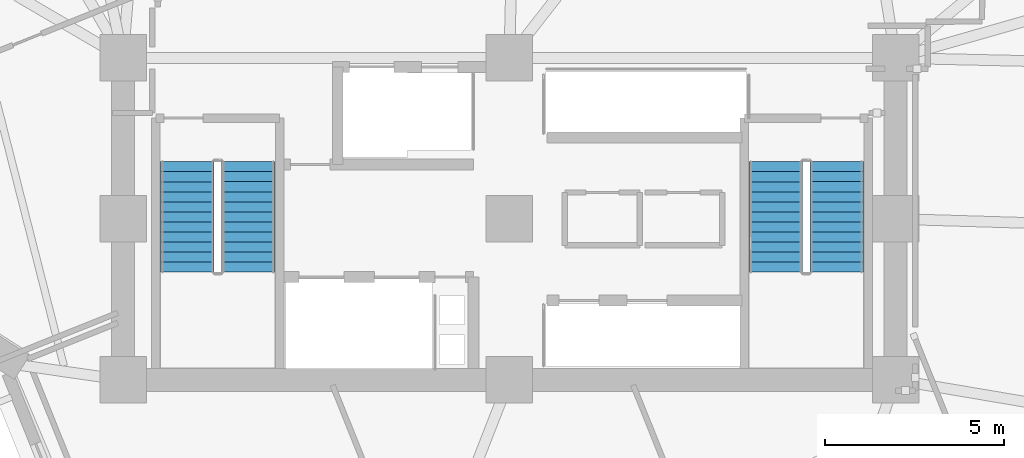
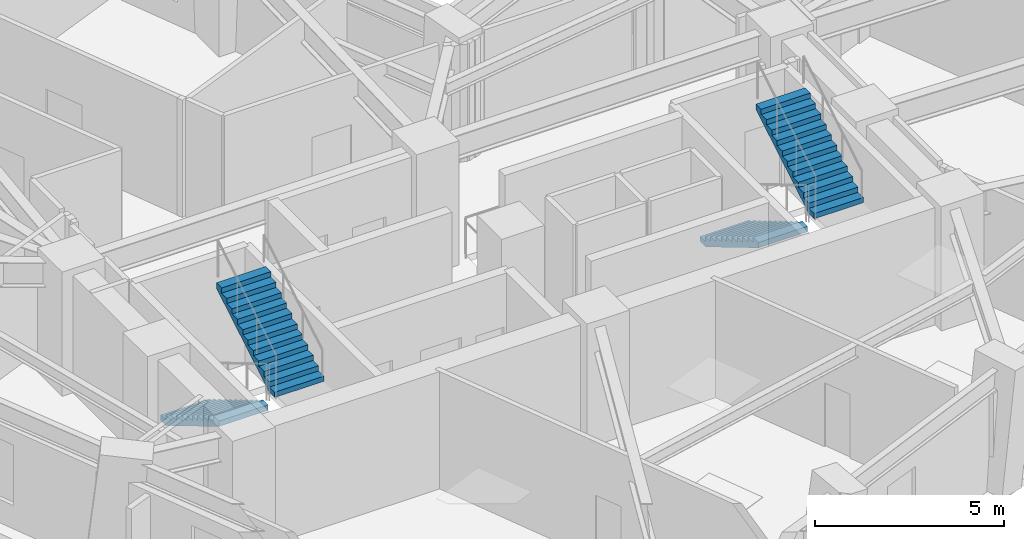
# One storey, part 12 of 16: 4 stair flights, 2 elements without a shape of their own.
"""IFC4 building model written with IfcOpenShell, lengths in metres."""

from ifc_helpers import new_model, si_unit, direction, frame, origin, place, context, subcontext, project, spatial, polyline, outline, extrude, material, type_object, element, aggregate, save


model = new_model("IFC4")

# Units and contexts
model_context = context("Model", 3, precision=1e-05, world=origin(), true_north=direction((0.0, 1.0)))
body_context = subcontext(model_context, "Body", "Model", "MODEL_VIEW")
ifc_project = project(units=[si_unit("LENGTHUNIT", "METRE"), si_unit("AREAUNIT", "SQUARE_METRE"), si_unit("VOLUMEUNIT", "CUBIC_METRE"), si_unit("PLANEANGLEUNIT", "RADIAN"), si_unit("MASSUNIT", "GRAM", prefix="KILO")], contexts=[model_context])

# Site, building, storey
site_placement = place(None, origin())
site = spatial("IfcSite", under=ifc_project, at=site_placement, CompositionType="ELEMENT")
building_placement = place(site_placement, origin())
building = spatial("IfcBuilding", under=site, at=building_placement, Name="Gaonmaruhae Medical Tower", CompositionType="ELEMENT")
storey_placement = place(building_placement, frame((0.0, 0.0, 116.39990234375)))
storey = spatial("IfcBuildingStorey", under=building, at=storey_placement, Name="L27", CompositionType="ELEMENT", Elevation=116.39990234375)

# Stair, stair flights
ifc_material = material(Name="Concrete C40/50", Category="concrete")
stair_type = type_object("IfcStairType", Name="ST-T1 Primary Core Escape Dogleg Stair", PredefinedType="TWO_QUARTER_TURN_STAIR", material=ifc_material)
stair_1_placement = place(storey_placement, origin())
stair_1 = element("IfcStair", 1, at=stair_1_placement, inside=storey, type_object=stair_type, Name="L27 Protected Escape Stair ST-01", PredefinedType="TWO_QUARTER_TURN_STAIR")
stair_flight_type = type_object("IfcStairFlightType", Name="SF-T1 Primary Core Precast Stair Flight", PredefinedType="STRAIGHT", material=ifc_material)
stair_flight_1_placement = place(storey_placement, frame((15.800048828125, 13.89990234375, 0.0), z_axis=(0.0, 0.0, 1.0), x_axis=(0.0, -1.0, 0.0)))
stair_flight_1 = element("IfcStairFlight", 2, at=stair_flight_1_placement, type_object=stair_flight_type, Name="ST-01 flight 1", NumberOfRisers=12, NumberOfTreads=11, PredefinedType="STRAIGHT", RiserHeight=0.166666667, TreadLength=0.28, context=body_context, shape_type="SweptSolid", body=[
    extrude(outline(polyline([(0.0, 0.0), (0.0, 0.166748046875), (0.280029296875, 0.166748046875), (0.280029296875, 0.333251953125), (0.56005859375, 0.333251953125), (0.56005859375, 0.5), (0.840087890625, 0.5), (0.840087890625, 0.666748046875), (1.1201171875, 0.666748046875), (1.1201171875, 0.833251953125), (1.39990234375, 0.833251953125), (1.39990234375, 1.0), (1.679931640625, 1.0), (1.679931640625, 1.166748046875), (1.9599609375, 1.166748046875), (1.9599609375, 1.333251953125), (2.239990234375, 1.333251953125), (2.239990234375, 1.5), (2.52001953125, 1.5), (2.52001953125, 1.666748046875), (2.800048828125, 1.666748046875), (2.800048828125, 1.833251953125), (3.080078125, 1.833251953125), (3.080078125, 2.0), (3.080078125, 1.658935546875), (0.29296875, 0.0), (0.0, 0.0)])), frame((0.0, 0.75, 0.0), z_axis=(0.0, -1.0, 0.0), x_axis=(1.0, 0.0, 0.0)), (0.0, 0.0, 1.0), 1.5),
])
stair_flight_2_placement = place(storey_placement, frame((17.5, 10.820068359375, 2.0), z_axis=(0.0, 0.0, 1.0), x_axis=(0.0, 1.0, 0.0)))
stair_flight_2 = element("IfcStairFlight", 3, at=stair_flight_2_placement, type_object=stair_flight_type, Name="ST-01 flight 2", NumberOfRisers=12, NumberOfTreads=11, PredefinedType="STRAIGHT", RiserHeight=0.166666667, TreadLength=0.28, context=body_context, shape_type="SweptSolid", body=[
    extrude(outline(polyline([(0.0, 0.0), (0.0, 0.166748046875), (0.280029296875, 0.166748046875), (0.280029296875, 0.333251953125), (0.56005859375, 0.333251953125), (0.56005859375, 0.5), (0.840087890625, 0.5), (0.840087890625, 0.666748046875), (1.1201171875, 0.666748046875), (1.1201171875, 0.833251953125), (1.39990234375, 0.833251953125), (1.39990234375, 1.0), (1.679931640625, 1.0), (1.679931640625, 1.166748046875), (1.9599609375, 1.166748046875), (1.9599609375, 1.333251953125), (2.239990234375, 1.333251953125), (2.239990234375, 1.5), (2.52001953125, 1.5), (2.52001953125, 1.666748046875), (2.800048828125, 1.666748046875), (2.800048828125, 1.833251953125), (3.080078125, 1.833251953125), (3.080078125, 2.0), (3.080078125, 1.658935546875), (0.29296875, 0.0), (0.0, 0.0)])), frame((0.0, 0.75, 0.0), z_axis=(0.0, -1.0, 0.0), x_axis=(1.0, 0.0, 0.0)), (0.0, 0.0, 1.0), 1.5),
])
aggregate(stair_1, [stair_flight_1, stair_flight_2])

stair_2_placement = place(storey_placement, origin())
stair_2 = element("IfcStair", 4, at=stair_2_placement, inside=storey, type_object=stair_type, Name="L27 Protected Escape Stair ST-02", PredefinedType="TWO_QUARTER_TURN_STAIR")
stair_flight_3_placement = place(storey_placement, frame((32.25, 13.89990234375, 0.0), z_axis=(0.0, 0.0, 1.0), x_axis=(0.0, -1.0, 0.0)))
stair_flight_3 = element("IfcStairFlight", 5, at=stair_flight_3_placement, type_object=stair_flight_type, Name="ST-02 flight 1", NumberOfRisers=12, NumberOfTreads=11, PredefinedType="STRAIGHT", RiserHeight=0.166666667, TreadLength=0.28, context=body_context, shape_type="SweptSolid", body=[
    extrude(outline(polyline([(0.0, 0.0), (0.0, 0.166748046875), (0.280029296875, 0.166748046875), (0.280029296875, 0.333251953125), (0.56005859375, 0.333251953125), (0.56005859375, 0.5), (0.840087890625, 0.5), (0.840087890625, 0.666748046875), (1.1201171875, 0.666748046875), (1.1201171875, 0.833251953125), (1.39990234375, 0.833251953125), (1.39990234375, 1.0), (1.679931640625, 1.0), (1.679931640625, 1.166748046875), (1.9599609375, 1.166748046875), (1.9599609375, 1.333251953125), (2.239990234375, 1.333251953125), (2.239990234375, 1.5), (2.52001953125, 1.5), (2.52001953125, 1.666748046875), (2.800048828125, 1.666748046875), (2.800048828125, 1.833251953125), (3.080078125, 1.833251953125), (3.080078125, 2.0), (3.080078125, 1.658935546875), (0.29296875, 0.0), (0.0, 0.0)])), frame((0.0, 0.75, 0.0), z_axis=(0.0, -1.0, 0.0), x_axis=(1.0, 0.0, 0.0)), (0.0, 0.0, 1.0), 1.5),
])
stair_flight_4_placement = place(storey_placement, frame((33.949951171875, 10.820068359375, 2.0), z_axis=(0.0, 0.0, 1.0), x_axis=(0.0, 1.0, 0.0)))
stair_flight_4 = element("IfcStairFlight", 6, at=stair_flight_4_placement, type_object=stair_flight_type, Name="ST-02 flight 2", NumberOfRisers=12, NumberOfTreads=11, PredefinedType="STRAIGHT", RiserHeight=0.166666667, TreadLength=0.28, context=body_context, shape_type="SweptSolid", body=[
    extrude(outline(polyline([(0.0, 0.0), (0.0, 0.166748046875), (0.280029296875, 0.166748046875), (0.280029296875, 0.333251953125), (0.56005859375, 0.333251953125), (0.56005859375, 0.5), (0.840087890625, 0.5), (0.840087890625, 0.666748046875), (1.1201171875, 0.666748046875), (1.1201171875, 0.833251953125), (1.39990234375, 0.833251953125), (1.39990234375, 1.0), (1.679931640625, 1.0), (1.679931640625, 1.166748046875), (1.9599609375, 1.166748046875), (1.9599609375, 1.333251953125), (2.239990234375, 1.333251953125), (2.239990234375, 1.5), (2.52001953125, 1.5), (2.52001953125, 1.666748046875), (2.800048828125, 1.666748046875), (2.800048828125, 1.833251953125), (3.080078125, 1.833251953125), (3.080078125, 2.0), (3.080078125, 1.658935546875), (0.29296875, 0.0), (0.0, 0.0)])), frame((0.0, 0.75, 0.0), z_axis=(0.0, -1.0, 0.0), x_axis=(1.0, 0.0, 0.0)), (0.0, 0.0, 1.0), 1.5),
])
aggregate(stair_2, [stair_flight_3, stair_flight_4])

save(model, "model.ifc")
